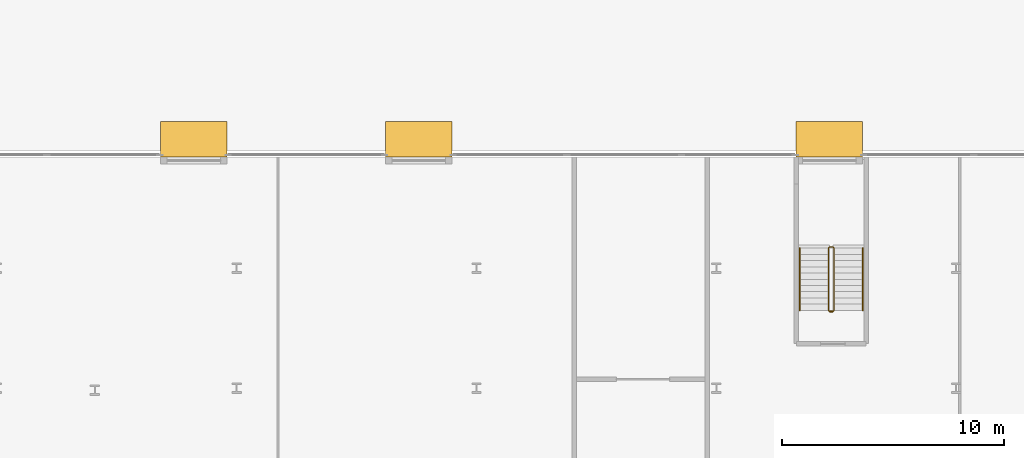
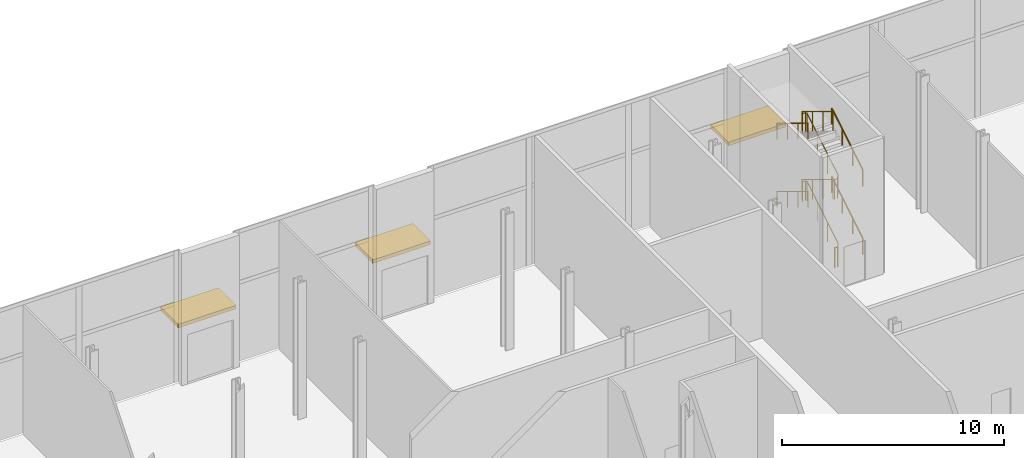
# One storey, part 42 of 46: 6 railings, 3 shading devices.
"""IFC4 building model written with IfcOpenShell, lengths in metres."""

from ifc_helpers import new_model, si_unit, direction, frame, origin, origin_2d, place, context, subcontext, project, spatial, rectangle, circle, extrude, material, layer, layer_set, type_object, element, save


model = new_model("IFC4")

# Units and contexts
model_context = context("Model", 3, precision=1e-05, world=origin(), true_north=direction((0.0, 1.0)))
body_context = subcontext(model_context, "Body", "Model", "MODEL_VIEW")
ifc_project = project(units=[si_unit("LENGTHUNIT", "METRE"), si_unit("AREAUNIT", "SQUARE_METRE"), si_unit("VOLUMEUNIT", "CUBIC_METRE"), si_unit("PLANEANGLEUNIT", "RADIAN"), si_unit("MASSUNIT", "GRAM", prefix="KILO")], contexts=[model_context])

# Site, building, storey
site_placement = place(None, origin())
site = spatial("IfcSite", under=ifc_project, at=site_placement, CompositionType="ELEMENT")
building_placement = place(site_placement, origin())
building = spatial("IfcBuilding", under=site, at=building_placement, Name="Kheshtan School and Residences Tower", CompositionType="ELEMENT")
storey_placement = place(building_placement, origin())
storey = spatial("IfcBuildingStorey", under=building, at=storey_placement, Name="L00", CompositionType="ELEMENT", Elevation=0.0)

# Shading devices
ifc_material_1 = material(Name="Zinc standing seam on insulated deck")
ifc_layer = layer(ifc_material_1, 0.10009765625)
ifc_layer_set = layer_set([ifc_layer], Name="Canopy awning")
shading_device_type = type_object("IfcShadingDeviceType", Name="Canopy awning", PredefinedType="AWNING", material=ifc_layer_set)
for number, where, z_axis, x_axis, name in (
    (1, (34.875, 110.800048828125, 3.0), (0.0, 0.0, 1.0), (1.0, 0.0, 0.0), "Entrance canopy 4.1"),
    (2, (45.0, 110.800048828125, 3.0), (0.0, 0.0, 1.0), (1.0, 0.0, 0.0), "Entrance canopy 4.3"),
    (3, (63.489990234375, 110.800048828125, 3.0), (0.0, 0.0, 1.0), (1.0, 0.0, 0.0), "Entrance canopy 4.5"),
):
    element("IfcShadingDevice", number, at=place(storey_placement, frame(where, z_axis=z_axis, x_axis=x_axis)), inside=storey, type_object=shading_device_type, Name=name, PredefinedType="AWNING", context=body_context, shape_type="SweptSolid", body=[
        extrude(rectangle(XDim=3.0, YDim=1.60009765625, at=origin_2d()), origin(), (0.0, 0.0, 1.0), 0.199951171875),
    ])

# Railings
ifc_material_2 = material(Name="Stainless steel balustrade", Category="steel")
railing_type_1 = type_object("IfcRailingType", Name="Stair guard 1100", PredefinedType="GUARDRAIL", material=ifc_material_2)
railing_1_placement = place(storey_placement, frame((63.699951171875, 103.10009765625, 0.17041015625)))
element("IfcRailing", 4, at=railing_1_placement, inside=storey, type_object=railing_type_1, Name="L00 PS-062-102 stair guard 1", PredefinedType="GUARDRAIL", context=body_context, shape_type="SweptSolid", body=[
    extrude(circle(Radius=0.02392578125, at=origin_2d()), frame((0.0, 0.0, 1.076171875), z_axis=(0.0, 0.854149651119, 0.520027281489), x_axis=(-1.0, 0.0, 0.0)), (0.0, 0.0, 1.0), 3.27783203125),
    extrude(circle(Radius=0.02392578125, at=origin_2d()), frame((0.0, 2.7998046875, 2.78076171875), z_axis=(-0.707106781187, 0.707106781187, 0.0), x_axis=(-0.707106781187, -0.707106781187, 0.0)), (0.0, 0.0, 1.0), 0.07080078125),
    extrude(circle(Radius=0.02392578125, at=origin_2d()), frame((-0.050048828125, 2.849853515625, 2.78076171875), z_axis=(-1.0, 0.0, 0.0), x_axis=(0.0, -1.0, 0.0)), (0.0, 0.0, 1.0), 0.14990234375),
    extrude(circle(Radius=0.02392578125, at=origin_2d()), frame((-0.199951171875, 2.849853515625, 2.78076171875), z_axis=(-0.271230943075, -0.271230943075, 0.923508284228), x_axis=(0.707106781187, -0.707106781187, 0.0)), (0.0, 0.0, 1.0), 0.1845703125),
    extrude(circle(Radius=0.02392578125, at=origin_2d()), frame((-0.25, 2.7998046875, 2.951171875), z_axis=(0.0, -0.854149651119, 0.520027281489), x_axis=(1.0, 0.0, 0.0)), (0.0, 0.0, 1.0), 3.27783203125),
    extrude(circle(Radius=0.02392578125, at=origin_2d()), frame((-0.25, 0.0, 4.65576171875), z_axis=(0.707106781187, -0.707106781187, 0.0), x_axis=(0.707106781187, 0.707106781187, 0.0)), (0.0, 0.0, 1.0), 0.07080078125),
    extrude(circle(Radius=0.02392578125, at=origin_2d()), frame((-0.199951171875, -0.050048828125, 4.65576171875), z_axis=(1.0, 0.0, 0.0), x_axis=(0.0, 1.0, 0.0)), (0.0, 0.0, 1.0), 0.14990234375),
    extrude(circle(Radius=0.02392578125, at=origin_2d()), frame((-0.050048828125, -0.050048828125, 4.65576171875), z_axis=(0.271230943075, 0.271230943075, 0.923508284228), x_axis=(-0.707106781187, 0.707106781187, 0.0)), (0.0, 0.0, 1.0), 0.1845703125),
    extrude(circle(Radius=0.02392578125, at=origin_2d()), frame((0.0, 0.0, 4.826171875), z_axis=(0.0, 0.854149651119, 0.520027281489), x_axis=(-1.0, 0.0, 0.0)), (0.0, 0.0, 1.0), 3.27783203125),
    extrude(circle(Radius=0.02392578125, at=origin_2d()), frame((0.0, 2.7998046875, 6.53076171875), z_axis=(-0.707106781187, 0.707106781187, 0.0), x_axis=(-0.707106781187, -0.707106781187, 0.0)), (0.0, 0.0, 1.0), 0.07080078125),
    extrude(circle(Radius=0.02392578125, at=origin_2d()), frame((-0.050048828125, 2.849853515625, 6.53076171875), z_axis=(-1.0, 0.0, 0.0), x_axis=(0.0, -1.0, 0.0)), (0.0, 0.0, 1.0), 0.14990234375),
    extrude(circle(Radius=0.02392578125, at=origin_2d()), frame((-0.199951171875, 2.849853515625, 6.53076171875), z_axis=(-0.271230943075, -0.271230943075, 0.923508284228), x_axis=(0.707106781187, -0.707106781187, 0.0)), (0.0, 0.0, 1.0), 0.1845703125),
    extrude(circle(Radius=0.02392578125, at=origin_2d()), frame((-0.25, 2.7998046875, 6.701171875), z_axis=(0.0, -0.854149651119, 0.520027281489), x_axis=(1.0, 0.0, 0.0)), (0.0, 0.0, 1.0), 3.27783203125),
    extrude(circle(Radius=0.02099609375, at=origin_2d()), origin(), (0.0, 0.0, 1.0), 1.052001953125),
    extrude(circle(Radius=0.02099609375, at=origin_2d()), frame((0.0, 0.933349609375, 0.568115234375)), (0.0, 0.0, 1.0), 1.052001953125),
    extrude(circle(Radius=0.02099609375, at=origin_2d()), frame((0.0, 1.866455078125, 1.136474609375)), (0.0, 0.0, 1.0), 1.052001953125),
    extrude(circle(Radius=0.02099609375, at=origin_2d()), frame((0.0, 2.7998046875, 1.70458984375)), (0.0, 0.0, 1.0), 1.052001953125),
    extrude(circle(Radius=0.02099609375, at=origin_2d()), frame((-0.050048828125, 2.849853515625, 1.70458984375)), (0.0, 0.0, 1.0), 1.052001953125),
    extrude(circle(Radius=0.02099609375, at=origin_2d()), frame((-0.199951171875, 2.849853515625, 1.70458984375)), (0.0, 0.0, 1.0), 1.052001953125),
    extrude(circle(Radius=0.02099609375, at=origin_2d()), frame((-0.25, 2.7998046875, 1.875)), (0.0, 0.0, 1.0), 1.052001953125),
    extrude(circle(Radius=0.02099609375, at=origin_2d()), frame((-0.25, 1.866455078125, 2.443115234375)), (0.0, 0.0, 1.0), 1.052001953125),
    extrude(circle(Radius=0.02099609375, at=origin_2d()), frame((-0.25, 0.933349609375, 3.011474609375)), (0.0, 0.0, 1.0), 1.052001953125),
    extrude(circle(Radius=0.02099609375, at=origin_2d()), frame((-0.25, 0.0, 3.57958984375)), (0.0, 0.0, 1.0), 1.052001953125),
    extrude(circle(Radius=0.02099609375, at=origin_2d()), frame((-0.199951171875, -0.050048828125, 3.57958984375)), (0.0, 0.0, 1.0), 1.052001953125),
    extrude(circle(Radius=0.02099609375, at=origin_2d()), frame((-0.050048828125, -0.050048828125, 3.57958984375)), (0.0, 0.0, 1.0), 1.052001953125),
    extrude(circle(Radius=0.02099609375, at=origin_2d()), frame((0.0, 0.0, 3.75)), (0.0, 0.0, 1.0), 1.052001953125),
    extrude(circle(Radius=0.02099609375, at=origin_2d()), frame((0.0, 0.933349609375, 4.318115234375)), (0.0, 0.0, 1.0), 1.052001953125),
    extrude(circle(Radius=0.02099609375, at=origin_2d()), frame((0.0, 1.866455078125, 4.886474609375)), (0.0, 0.0, 1.0), 1.052001953125),
    extrude(circle(Radius=0.02099609375, at=origin_2d()), frame((0.0, 2.7998046875, 5.45458984375)), (0.0, 0.0, 1.0), 1.052001953125),
    extrude(circle(Radius=0.02099609375, at=origin_2d()), frame((-0.050048828125, 2.849853515625, 5.45458984375)), (0.0, 0.0, 1.0), 1.052001953125),
    extrude(circle(Radius=0.02099609375, at=origin_2d()), frame((-0.199951171875, 2.849853515625, 5.45458984375)), (0.0, 0.0, 1.0), 1.052001953125),
    extrude(circle(Radius=0.02099609375, at=origin_2d()), frame((-0.25, 2.7998046875, 5.625)), (0.0, 0.0, 1.0), 1.052001953125),
    extrude(circle(Radius=0.02099609375, at=origin_2d()), frame((-0.25, 1.866455078125, 6.193115234375)), (0.0, 0.0, 1.0), 1.052001953125),
    extrude(circle(Radius=0.02099609375, at=origin_2d()), frame((-0.25, 0.933349609375, 6.761474609375)), (0.0, 0.0, 1.0), 1.052001953125),
    extrude(circle(Radius=0.02099609375, at=origin_2d()), frame((-0.25, 0.0, 7.32958984375)), (0.0, 0.0, 1.0), 1.052001953125),
])
railing_2_placement = place(storey_placement, frame((63.64990234375, 103.050048828125, 0.0)))
element("IfcRailing", 5, at=railing_2_placement, inside=storey, type_object=railing_type_1, Name="L00 PS-062-102 stair guard 2", PredefinedType="GUARDRAIL", context=body_context, shape_type="SweptSolid", body=[
    extrude(circle(Radius=0.02392578125, at=origin_2d()), frame((0.0, 0.0, 1.076171875), z_axis=(-1.0, 0.0, 0.0), x_axis=(0.0, -1.0, 0.0)), (0.0, 0.0, 1.0), 0.14990234375),
    extrude(circle(Radius=0.02099609375, at=origin_2d()), origin(), (0.0, 0.0, 1.0), 1.052001953125),
    extrude(circle(Radius=0.02099609375, at=origin_2d()), frame((-0.14990234375, 0.0, 0.0)), (0.0, 0.0, 1.0), 1.052001953125),
])
ifc_material_3 = material(Name="Stainless steel handrail", Category="steel")
railing_type_2 = type_object("IfcRailingType", Name="Stair handrail 900", PredefinedType="HANDRAIL", material=ifc_material_3)
railing_3_placement = place(storey_placement, frame((65.0, 103.10009765625, 0.17041015625)))
element("IfcRailing", 6, at=railing_3_placement, inside=storey, type_object=railing_type_2, Name="L00 PS-062-102 stair handrail 1", PredefinedType="HANDRAIL", context=body_context, shape_type="SweptSolid", body=[
    extrude(circle(Radius=0.02392578125, at=origin_2d()), frame((0.0, 0.0, 0.8759765625), z_axis=(0.0, 0.854149651119, 0.520027281489), x_axis=(-1.0, 0.0, 0.0)), (0.0, 0.0, 1.0), 3.27783203125),
    extrude(circle(Radius=0.02099609375, at=origin_2d()), origin(), (0.0, 0.0, 1.0), 0.851806640625),
    extrude(circle(Radius=0.02099609375, at=origin_2d()), frame((0.0, 0.933349609375, 0.568115234375)), (0.0, 0.0, 1.0), 0.851806640625),
    extrude(circle(Radius=0.02099609375, at=origin_2d()), frame((0.0, 1.866455078125, 1.136474609375)), (0.0, 0.0, 1.0), 0.851806640625),
    extrude(circle(Radius=0.02099609375, at=origin_2d()), frame((0.0, 2.7998046875, 1.70458984375)), (0.0, 0.0, 1.0), 0.851806640625),
])
railing_4_placement = place(storey_placement, frame((62.14990234375, 105.89990234375, 2.04541015625)))
element("IfcRailing", 7, at=railing_4_placement, inside=storey, type_object=railing_type_2, Name="L00 PS-062-102 stair handrail 2", PredefinedType="HANDRAIL", context=body_context, shape_type="SweptSolid", body=[
    extrude(circle(Radius=0.02392578125, at=origin_2d()), frame((0.0, 0.0, 0.8759765625), z_axis=(0.0, -0.854149651119, 0.520027281489), x_axis=(1.0, 0.0, 0.0)), (0.0, 0.0, 1.0), 3.27783203125),
    extrude(circle(Radius=0.02099609375, at=origin_2d()), origin(), (0.0, 0.0, 1.0), 0.851806640625),
    extrude(circle(Radius=0.02099609375, at=origin_2d()), frame((0.0, -0.933349609375, 0.568115234375)), (0.0, 0.0, 1.0), 0.851806640625),
    extrude(circle(Radius=0.02099609375, at=origin_2d()), frame((0.0, -1.866455078125, 1.136474609375)), (0.0, 0.0, 1.0), 0.851806640625),
    extrude(circle(Radius=0.02099609375, at=origin_2d()), frame((0.0, -2.7998046875, 1.70458984375)), (0.0, 0.0, 1.0), 0.851806640625),
])
railing_5_placement = place(storey_placement, frame((65.0, 103.10009765625, 3.92041015625)))
element("IfcRailing", 8, at=railing_5_placement, inside=storey, type_object=railing_type_2, Name="L00 PS-062-102 stair handrail 3", PredefinedType="HANDRAIL", context=body_context, shape_type="SweptSolid", body=[
    extrude(circle(Radius=0.02392578125, at=origin_2d()), frame((0.0, 0.0, 0.8759765625), z_axis=(0.0, 0.854149651119, 0.520027281489), x_axis=(-1.0, 0.0, 0.0)), (0.0, 0.0, 1.0), 3.27783203125),
    extrude(circle(Radius=0.02099609375, at=origin_2d()), origin(), (0.0, 0.0, 1.0), 0.851806640625),
    extrude(circle(Radius=0.02099609375, at=origin_2d()), frame((0.0, 0.933349609375, 0.568115234375)), (0.0, 0.0, 1.0), 0.851806640625),
    extrude(circle(Radius=0.02099609375, at=origin_2d()), frame((0.0, 1.866455078125, 1.136474609375)), (0.0, 0.0, 1.0), 0.851806640625),
    extrude(circle(Radius=0.02099609375, at=origin_2d()), frame((0.0, 2.7998046875, 1.70458984375)), (0.0, 0.0, 1.0), 0.851806640625),
])
railing_6_placement = place(storey_placement, frame((62.14990234375, 105.89990234375, 5.79541015625)))
element("IfcRailing", 9, at=railing_6_placement, inside=storey, type_object=railing_type_2, Name="L00 PS-062-102 stair handrail 4", PredefinedType="HANDRAIL", context=body_context, shape_type="SweptSolid", body=[
    extrude(circle(Radius=0.02392578125, at=origin_2d()), frame((0.0, 0.0, 0.8759765625), z_axis=(0.0, -0.854149651119, 0.520027281489), x_axis=(1.0, 0.0, 0.0)), (0.0, 0.0, 1.0), 3.27783203125),
    extrude(circle(Radius=0.02099609375, at=origin_2d()), origin(), (0.0, 0.0, 1.0), 0.851806640625),
    extrude(circle(Radius=0.02099609375, at=origin_2d()), frame((0.0, -0.933349609375, 0.568115234375)), (0.0, 0.0, 1.0), 0.851806640625),
    extrude(circle(Radius=0.02099609375, at=origin_2d()), frame((0.0, -1.866455078125, 1.136474609375)), (0.0, 0.0, 1.0), 0.851806640625),
    extrude(circle(Radius=0.02099609375, at=origin_2d()), frame((0.0, -2.7998046875, 1.70458984375)), (0.0, 0.0, 1.0), 0.851806640625),
])

save(model, "model.ifc")
